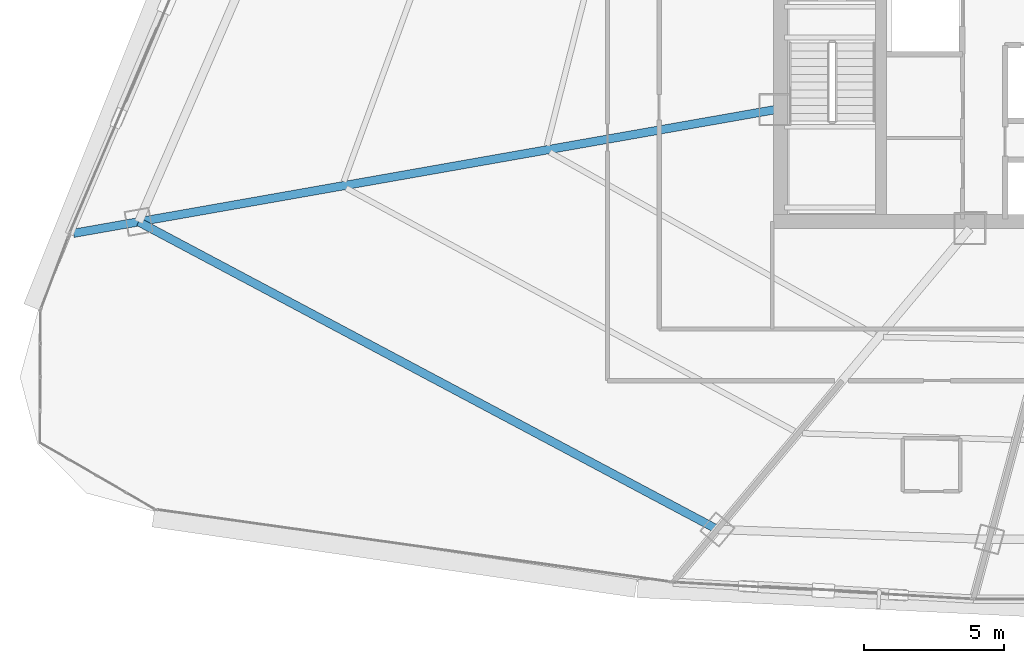
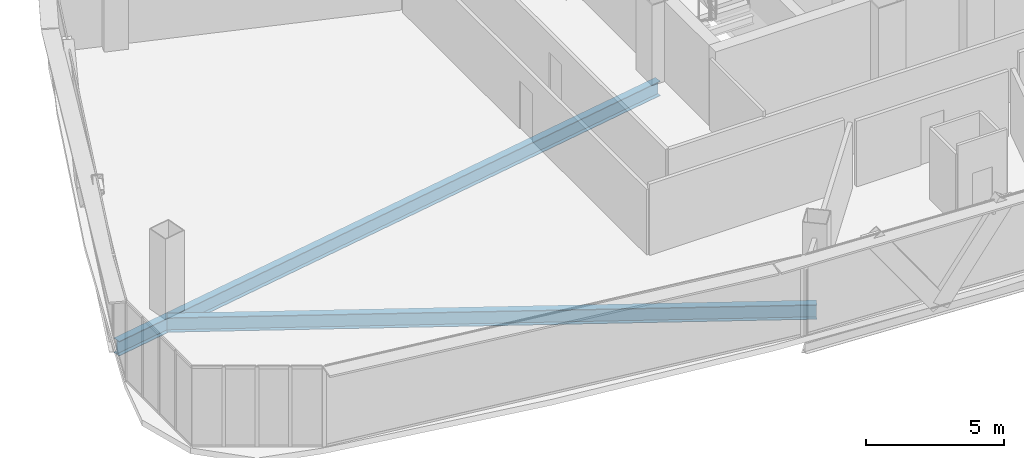
# One storey, part 5 of 40: 2 beams.
"""IFC4 building model written with IfcOpenShell, lengths in metres."""

from ifc_helpers import new_model, si_unit, direction, frame, origin, origin_2d, place, context, subcontext, project, spatial, i_section, extrude, source, transform, mapped, material, material_profile, profile_set, type_object, element, save


model = new_model("IFC4")

# Units and contexts
model_context = context("Model", 3, precision=1e-05, world=origin(), true_north=direction((0.0, 1.0)))
body_context = subcontext(model_context, "Body", "Model", "MODEL_VIEW")
ifc_project = project(units=[si_unit("LENGTHUNIT", "METRE"), si_unit("AREAUNIT", "SQUARE_METRE"), si_unit("VOLUMEUNIT", "CUBIC_METRE"), si_unit("PLANEANGLEUNIT", "RADIAN"), si_unit("MASSUNIT", "GRAM", prefix="KILO"), si_unit("THERMODYNAMICTEMPERATUREUNIT", "KELVIN"), si_unit("POWERUNIT", "WATT")], contexts=[model_context])

# Site, building, storey
site_placement = place(None, origin())
site = spatial("IfcSite", under=ifc_project, at=site_placement, CompositionType="ELEMENT")
building_placement = place(site_placement, origin())
building = spatial("IfcBuilding", under=site, at=building_placement, Name="Yunzhuo Pagoda Commons", CompositionType="ELEMENT")
storey_placement = place(building_placement, frame((0.0, 0.0, 184.760009765625)))
storey = spatial("IfcBuildingStorey", under=building, at=storey_placement, Name="L46", CompositionType="ELEMENT", Elevation=184.760009765625)

# Beams
ifc_material = material(Name="Structural steel Q355B", Category="steel")
ifc_material_profile = material_profile(ifc_material, i_section(OverallWidth=0.300048828125, OverallDepth=0.64990234375, WebThickness=0.012939453125, FlangeThickness=0.02197265625, at=origin_2d()), Name="Structural steel Q355B")
ifc_profile_set = profile_set([ifc_material_profile], Name="Structural steel Q355B")
beam_type = type_object("IfcBeamType", Name="B-RG2 Beam HN 650x300x13x22", PredefinedType="BEAM", material=ifc_profile_set)
shared_shape_1 = source(origin(), body_context, "Body", "SweptSolid", [
    extrude(i_section(OverallWidth=0.300048828125, OverallDepth=0.64990234375, WebThickness=0.012939453125, FlangeThickness=0.02197265625, at=origin_2d()), origin(), (0.0, 0.0, 1.0), 23.49365234375),
])
beam_1_placement = place(storey_placement, frame((12.79345703125, 27.492431640625, -0.5849609375), z_axis=(0.883016269865, -0.469342377325, 0.0), x_axis=(0.469342377325, 0.883016269865, 0.0)))
element("IfcBeam", 1, at=beam_1_placement, inside=storey, type_object=beam_type, Name="L46 column-ring beam 12", PredefinedType="BEAM", context=body_context, shape_type="MappedRepresentation", body=[
    mapped(shared_shape_1, transform((0.0, 0.0, 0.0), scale=1.0)),
])
shared_shape_2 = source(origin(), body_context, "Body", "SweptSolid", [
    extrude(i_section(OverallWidth=0.300048828125, OverallDepth=0.64990234375, WebThickness=0.012939453125, FlangeThickness=0.02197265625, at=origin_2d()), origin(), (0.0, 0.0, 1.0), 25.52734375),
])
beam_2_placement = place(storey_placement, frame((10.46044921875, 27.0810546875, -0.5849609375), z_axis=(0.984810601719, 0.173632021076, 0.0), x_axis=(-0.173632021076, 0.984810601719, 0.0)))
element("IfcBeam", 2, at=beam_2_placement, inside=storey, type_object=beam_type, Name="L46 radial floor girder F3C4", PredefinedType="BEAM", context=body_context, shape_type="MappedRepresentation", body=[
    mapped(shared_shape_2, transform((0.0, 0.0, 0.0), scale=1.0)),
])

save(model, "model.ifc")
